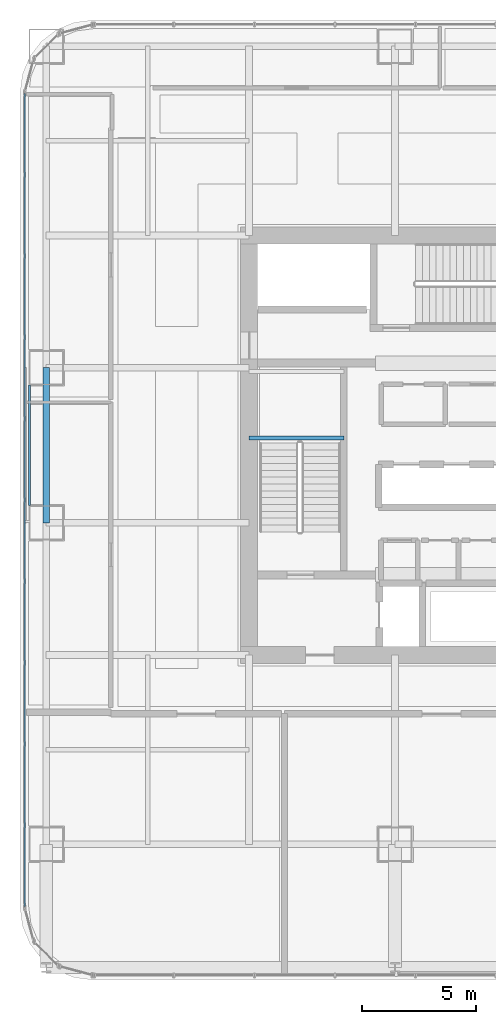
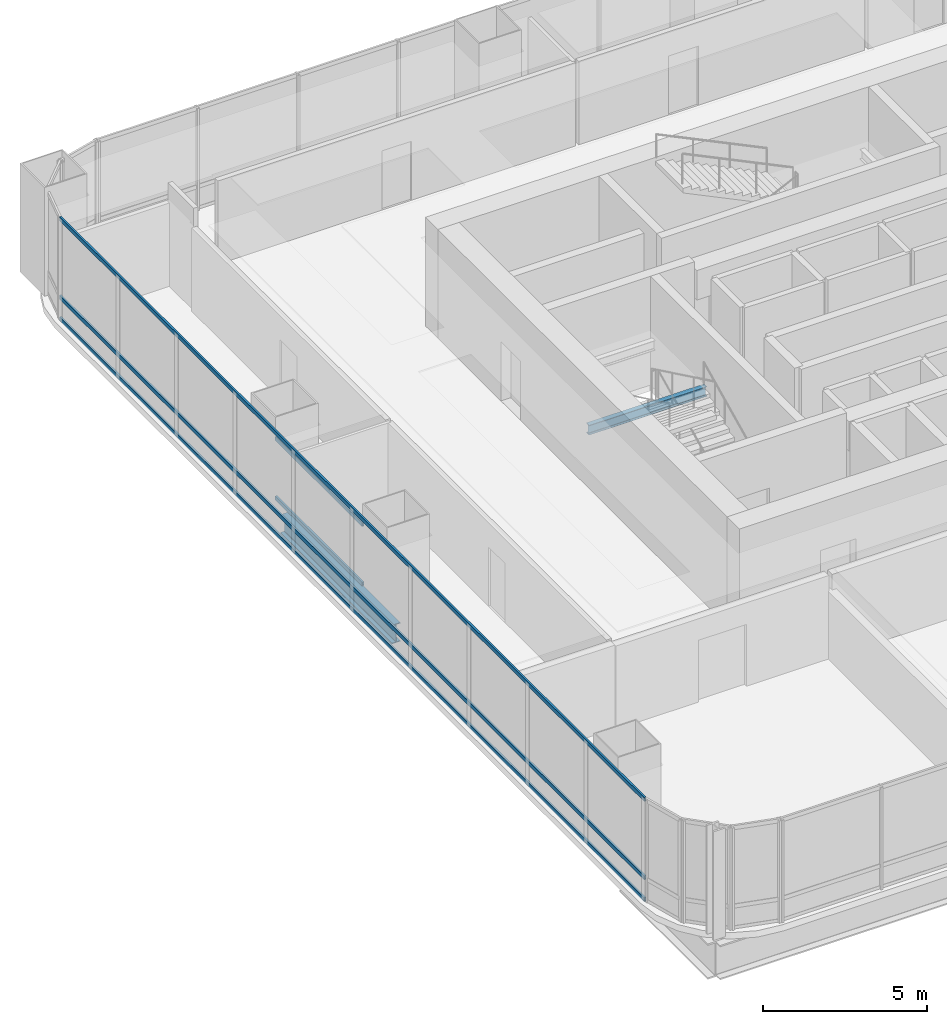
# One storey, part 9 of 34: 5 members, 2 beams, 1 element without a shape of its own.
"""IFC4 building model written with IfcOpenShell, lengths in metres."""

from ifc_helpers import new_model, si_unit, direction, frame, origin, origin_2d, place, context, subcontext, project, spatial, hollow_rectangle, i_section, extrude, material, material_profile, profile_set, type_object, element, aggregate, save


model = new_model("IFC4")

# Units and contexts
model_context = context("Model", 3, precision=1e-05, world=origin(), true_north=direction((0.0, 1.0)))
body_context = subcontext(model_context, "Body", "Model", "MODEL_VIEW")
ifc_project = project(units=[si_unit("LENGTHUNIT", "METRE"), si_unit("AREAUNIT", "SQUARE_METRE"), si_unit("VOLUMEUNIT", "CUBIC_METRE"), si_unit("PLANEANGLEUNIT", "RADIAN"), si_unit("MASSUNIT", "GRAM", prefix="KILO")], contexts=[model_context])

# Site, building, storey
site_placement = place(None, origin())
site = spatial("IfcSite", under=ifc_project, at=site_placement, CompositionType="ELEMENT")
building_placement = place(site_placement, origin())
building = spatial("IfcBuilding", under=site, at=building_placement, Name="Punatoya Terracotta Tower", CompositionType="ELEMENT")
storey_placement = place(building_placement, frame((0.0, 0.0, 80.85009765625)))
storey = spatial("IfcBuildingStorey", under=building, at=storey_placement, Name="L18", CompositionType="ELEMENT", Elevation=80.85009765625)

# Beams
ifc_material_1 = material(Name="Steel S355", Category="steel")
ifc_material_profile_1 = material_profile(ifc_material_1, i_section(OverallWidth=0.300048828125, OverallDepth=0.699951171875, WebThickness=0.01708984375, FlangeThickness=0.031982421875, FilletRadius=0.01806640625, at=origin_2d()))
ifc_profile_set_1 = profile_set([ifc_material_profile_1], Name="Steel S355")
beam_type_1 = type_object("IfcBeamType", Name="BM-PRI-700", PredefinedType="BEAM", material=ifc_profile_set_1)
beam_1_placement = place(storey_placement, frame((-19.10009765625, -3.39990234375, -0.590087890625), z_axis=(0.0, 1.0, 0.0), x_axis=(-1.0, 0.0, 0.0)))
element("IfcBeam", 1, at=beam_1_placement, inside=storey, type_object=beam_type_1, Name="BM-L18-RG-W2", PredefinedType="BEAM", context=body_context, shape_type="SweptSolid", body=[
    extrude(i_section(OverallWidth=0.300048828125, OverallDepth=0.699951171875, WebThickness=0.01708984375, FlangeThickness=0.031982421875, FilletRadius=0.01806640625, at=origin_2d()), origin(), (0.0, 0.0, 1.0), 6.7998046875),
])
ifc_material_profile_2 = material_profile(ifc_material_1, i_section(OverallWidth=0.169921875, OverallDepth=0.360107421875, WebThickness=0.008056640625, FlangeThickness=0.0126953125, FilletRadius=0.01806640625, at=origin_2d()))
ifc_profile_set_2 = profile_set([ifc_material_profile_2], Name="Steel S355")
beam_type_2 = type_object("IfcBeamType", Name="BM-SEC-360", PredefinedType="JOIST", material=ifc_profile_set_2)
beam_2_placement = place(storey_placement, frame((-10.199951171875, 0.320068359375, 1.64501953125), z_axis=(1.0, 0.0, 0.0), x_axis=(0.0, 1.0, 0.0)))
element("IfcBeam", 2, at=beam_2_placement, inside=storey, type_object=beam_type_2, Name="BM-L18-ST-1-LD1A", PredefinedType="JOIST", context=body_context, shape_type="SweptSolid", body=[
    extrude(i_section(OverallWidth=0.169921875, OverallDepth=0.360107421875, WebThickness=0.008056640625, FlangeThickness=0.0126953125, FilletRadius=0.01806640625, at=origin_2d()), origin(), (0.0, 0.0, 1.0), 4.14990234375),
])

# Curtain wall, members
ifc_material_2 = material(Name="Aluminium 6063-T6 + Double Low-E Glass", Category="aluminium")
curtain_wall_type = type_object("IfcCurtainWallType", Name="CW-M1", PredefinedType="NOTDEFINED", material=ifc_material_2)
curtain_wall_placement = place(storey_placement, origin())
curtain_wall = element("IfcCurtainWall", 3, at=curtain_wall_placement, inside=storey, type_object=curtain_wall_type, Name="L18 Curtain Wall CW-L18-W13-1", PredefinedType="NOTDEFINED")
ifc_material_3 = material(Name="Aluminium 6063-T6", Category="aluminium")
ifc_material_profile_3 = material_profile(ifc_material_3, hollow_rectangle(XDim=0.068115234375, YDim=0.14990234375, WallThickness=0.00390625, at=origin_2d()))
ifc_profile_set_3 = profile_set([ifc_material_profile_3], Name="Aluminium 6063-T6")
member_type_1 = type_object("IfcMemberType", Name="CW-TRN-TYP", PredefinedType="USERDEFINED", material=ifc_profile_set_3)
member_1_placement = place(storey_placement, frame((-20.050048828125, 15.43701171875, 0.039794921875), z_axis=(0.0, -1.0, 0.0), x_axis=(1.0, 0.0, 0.0)))
member_1 = element("IfcMember", 4, at=member_1_placement, type_object=member_type_1, Name="CW-L18-W13-1 Transom 1", ObjectType="TRANSOM", PredefinedType="USERDEFINED", context=body_context, shape_type="SweptSolid", body=[
    extrude(hollow_rectangle(XDim=0.068115234375, YDim=0.14990234375, WallThickness=0.00390625, at=origin_2d()), origin(), (0.0, 0.0, 1.0), 35.673828125),
])
member_2_placement = place(storey_placement, frame((-20.050048828125, 15.43701171875, 0.849853515625), z_axis=(0.0, -1.0, 0.0), x_axis=(1.0, 0.0, 0.0)))
member_2 = element("IfcMember", 5, at=member_2_placement, type_object=member_type_1, Name="CW-L18-W13-1 Transom 2", ObjectType="TRANSOM", PredefinedType="USERDEFINED", context=body_context, shape_type="SweptSolid", body=[
    extrude(hollow_rectangle(XDim=0.068115234375, YDim=0.14990234375, WallThickness=0.00390625, at=origin_2d()), origin(), (0.0, 0.0, 1.0), 35.673828125),
])
member_3_placement = place(storey_placement, frame((-20.050048828125, 15.43701171875, 3.77001953125), z_axis=(0.0, -1.0, 0.0), x_axis=(1.0, 0.0, 0.0)))
member_3 = element("IfcMember", 6, at=member_3_placement, type_object=member_type_1, Name="CW-L18-W13-1 Transom 3", ObjectType="TRANSOM", PredefinedType="USERDEFINED", context=body_context, shape_type="SweptSolid", body=[
    extrude(hollow_rectangle(XDim=0.068115234375, YDim=0.14990234375, WallThickness=0.00390625, at=origin_2d()), origin(), (0.0, 0.0, 1.0), 35.673828125),
])
aggregate(curtain_wall, [member_1, member_2, member_3])

# Members
ifc_material_profile_4 = material_profile(ifc_material_1, hollow_rectangle(XDim=0.070068359375, YDim=0.139892578125, WallThickness=0.006103515625, at=origin_2d()))
ifc_profile_set_4 = profile_set([ifc_material_profile_4], Name="Steel S355")
member_type_2 = type_object("IfcMemberType", Name="MEM-BAG-RAIL", PredefinedType="USERDEFINED", material=ifc_profile_set_4)
for number, where, z_axis, x_axis, name in (
    (7, (-19.83203125, -2.650390625, 1.0498046875), (0.0, 1.0, 0.0), (-1.0, 0.0, 0.0), "L18 Terracotta Baguette Carrier Rail BAG-L18-W-R1"),
    (8, (-19.83203125, -2.650390625, 3.260009765625), (0.0, 1.0, 0.0), (-1.0, 0.0, 0.0), "L18 Terracotta Baguette Carrier Rail BAG-L18-W-R2"),
):
    element("IfcMember", number, at=place(storey_placement, frame(where, z_axis=z_axis, x_axis=x_axis)), inside=storey, type_object=member_type_2, Name=name, ObjectType="BAGUETTE", PredefinedType="USERDEFINED", context=body_context, shape_type="SweptSolid", body=[
        extrude(hollow_rectangle(XDim=0.070068359375, YDim=0.139892578125, WallThickness=0.006103515625, at=origin_2d()), origin(), (0.0, 0.0, 1.0), 5.30078125),
    ])

save(model, "model.ifc")
